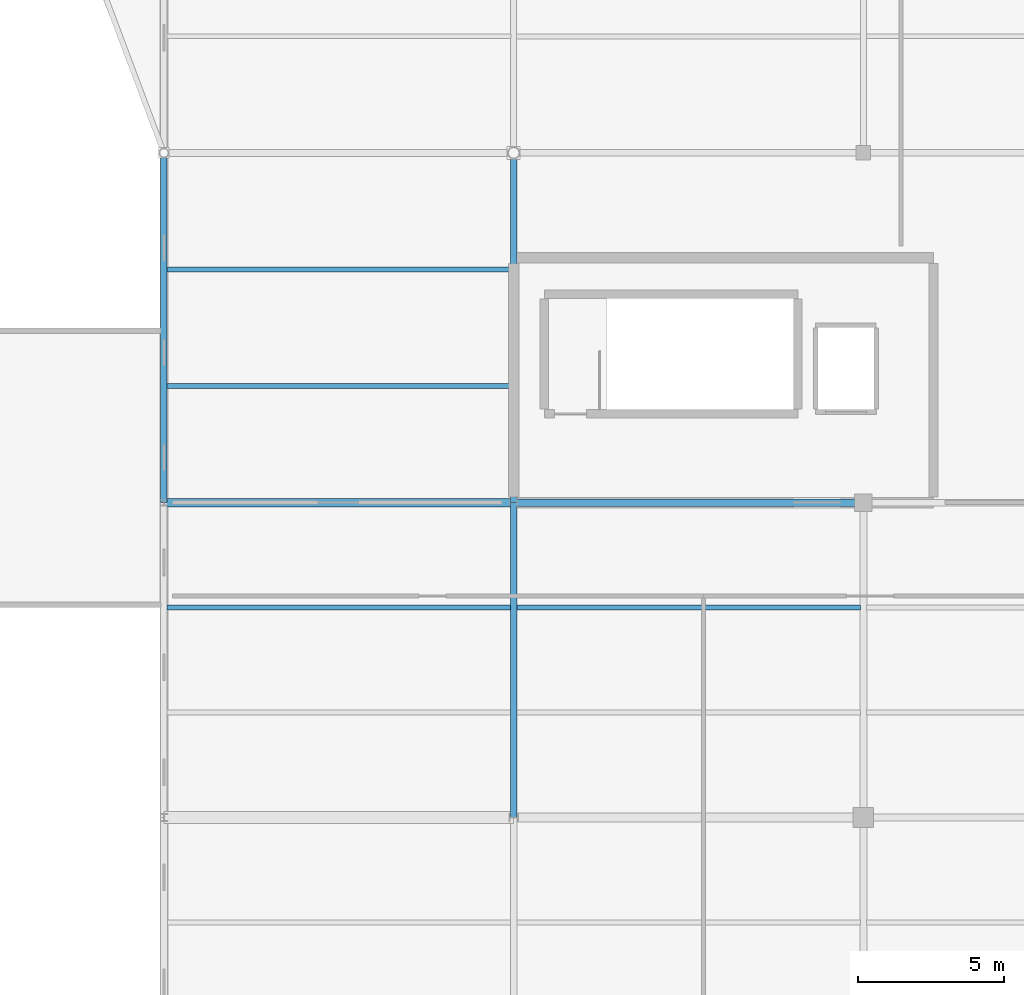
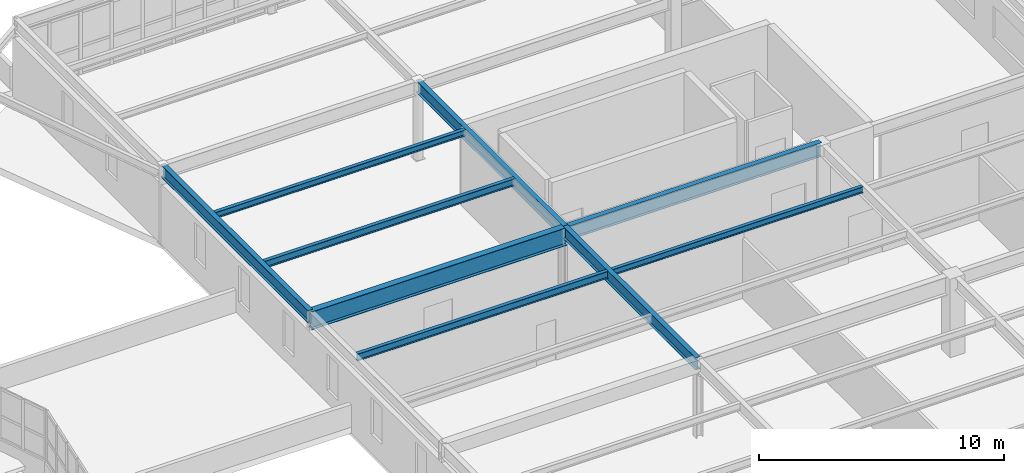
# One storey, part 54 of 128: 9 beams.
"""IFC4 building model written with IfcOpenShell, lengths in metres."""

from ifc_helpers import new_model, si_unit, direction, frame, origin, origin_2d, place, context, subcontext, project, spatial, i_section, extrude, material, material_profile, profile_set, type_object, element, save


model = new_model("IFC4")

# Units and contexts
model_context = context("Model", 3, precision=1e-05, world=origin(), true_north=direction((0.0, 1.0)))
body_context = subcontext(model_context, "Body", "Model", "MODEL_VIEW")
ifc_project = project(units=[si_unit("LENGTHUNIT", "METRE"), si_unit("AREAUNIT", "SQUARE_METRE"), si_unit("VOLUMEUNIT", "CUBIC_METRE"), si_unit("PLANEANGLEUNIT", "RADIAN"), si_unit("MASSUNIT", "GRAM", prefix="KILO")], contexts=[model_context])

# Site, building, storey
site_placement = place(None, origin())
site = spatial("IfcSite", under=ifc_project, at=site_placement, CompositionType="ELEMENT")
building_placement = place(site_placement, origin())
building = spatial("IfcBuilding", under=site, at=building_placement, Name="Tarnwether General Hospital", CompositionType="ELEMENT")
storey_placement = place(building_placement, frame((0.0, 0.0, 14.39990234375)))
storey = spatial("IfcBuildingStorey", under=building, at=storey_placement, Name="L03", CompositionType="ELEMENT", Elevation=14.39990234375)

# Beams
ifc_material_1 = material(Name="Steel Grade 350 (350 MPa)", Category="steel")
ifc_material_profile_1 = material_profile(ifc_material_1, i_section(OverallWidth=0.300048828125, OverallDepth=0.89990234375, WebThickness=0.011962890625, FlangeThickness=0.02001953125, at=origin_2d()), Name="900WB175")
ifc_profile_set_1 = profile_set([ifc_material_profile_1], Name="Steel Grade 350 (350 MPa)")
beam_type_1 = type_object("IfcBeamType", Name="BM-G01", PredefinedType="BEAM", material=ifc_profile_set_1)
beam_1_placement = place(storey_placement, frame((144.0, 21.60009765625, 3.4501953125), z_axis=(1.0, 0.0, 0.0), x_axis=(0.0, 1.0, 0.0)))
element("IfcBeam", 1, at=beam_1_placement, inside=storey, type_object=beam_type_1, Name="Primary Girder BMG-L03-14400_2160-15600_2160-1758", PredefinedType="BEAM", context=body_context, shape_type="SweptSolid", body=[
    extrude(i_section(OverallWidth=0.300048828125, OverallDepth=0.89990234375, WebThickness=0.011962890625, FlangeThickness=0.02001953125, at=origin_2d()), origin(), (0.0, 0.0, 1.0), 12.0),
])
ifc_material_2 = material(Name="Steel Grade 350 (350 MPa)", Category="steel")
ifc_material_profile_2 = material_profile(ifc_material_2, i_section(OverallWidth=0.25, OverallDepth=0.69189453125, WebThickness=0.009033203125, FlangeThickness=0.01611328125, at=origin_2d()), Name="700WB115")
ifc_profile_set_2 = profile_set([ifc_material_profile_2], Name="Steel Grade 350 (350 MPa)")
beam_type_2 = type_object("IfcBeamType", Name="BM-G02", PredefinedType="BEAM", material=ifc_profile_set_2)
beam_2_placement = place(storey_placement, frame((156.0, 21.60009765625, 3.55419921875), z_axis=(1.0, 0.0, 0.0), x_axis=(0.0, 1.0, 0.0)))
element("IfcBeam", 2, at=beam_2_placement, inside=storey, type_object=beam_type_2, Name="Primary Girder BMG-L03-15600_2160-16800_2160-1776", PredefinedType="BEAM", context=body_context, shape_type="SweptSolid", body=[
    extrude(i_section(OverallWidth=0.25, OverallDepth=0.69189453125, WebThickness=0.009033203125, FlangeThickness=0.01611328125, at=origin_2d()), origin(), (0.0, 0.0, 1.0), 12.0),
])
ifc_material_3 = material(Name="Steel Grade 350 (350 MPa)", Category="steel")
ifc_material_profile_3 = material_profile(ifc_material_3, i_section(OverallWidth=0.22802734375, OverallDepth=0.60693359375, WebThickness=0.01123046875, FlangeThickness=0.017333984375, at=origin_2d()), Name="610UB113")
ifc_profile_set_3 = profile_set([ifc_material_profile_3], Name="Steel Grade 350 (350 MPa)")
beam_type_3 = type_object("IfcBeamType", Name="BM-G04", PredefinedType="BEAM", material=ifc_profile_set_3)
beam_3_placement = place(storey_placement, frame((144.0, 21.60009765625, 3.5966796875), z_axis=(0.0, 1.0, 0.0), x_axis=(-1.0, 0.0, 0.0)))
element("IfcBeam", 3, at=beam_3_placement, inside=storey, type_object=beam_type_3, Name="Primary Girder BMG-L03-14400_2160-14400_3360-1759", PredefinedType="BEAM", context=body_context, shape_type="SweptSolid", body=[
    extrude(i_section(OverallWidth=0.22802734375, OverallDepth=0.60693359375, WebThickness=0.01123046875, FlangeThickness=0.017333984375, at=origin_2d()), origin(), (0.0, 0.0, 1.0), 12.0),
])
beam_4_placement = place(storey_placement, frame((156.0, 10.800048828125, 3.5966796875), z_axis=(0.0, 1.0, 0.0), x_axis=(-1.0, 0.0, 0.0)))
element("IfcBeam", 4, at=beam_4_placement, inside=storey, type_object=beam_type_3, Name="Primary Girder BMG-L03-15600_1080-15600_2160-1775", PredefinedType="BEAM", context=body_context, shape_type="SweptSolid", body=[
    extrude(i_section(OverallWidth=0.22802734375, OverallDepth=0.60693359375, WebThickness=0.01123046875, FlangeThickness=0.017333984375, at=origin_2d()), origin(), (0.0, 0.0, 1.0), 10.800048828125),
])
ifc_material_4 = material(Name="Steel Grade 350 (350 MPa)", Category="steel")
ifc_material_profile_4 = material_profile(ifc_material_4, i_section(OverallWidth=0.22802734375, OverallDepth=0.60205078125, WebThickness=0.010498046875, FlangeThickness=0.014892578125, at=origin_2d()), Name="610UB101")
ifc_profile_set_4 = profile_set([ifc_material_profile_4], Name="Steel Grade 350 (350 MPa)")
beam_type_4 = type_object("IfcBeamType", Name="BM-G05", PredefinedType="BEAM", material=ifc_profile_set_4)
beam_5_placement = place(storey_placement, frame((156.0, 21.60009765625, 3.59912109375), z_axis=(0.0, 1.0, 0.0), x_axis=(-1.0, 0.0, 0.0)))
element("IfcBeam", 5, at=beam_5_placement, inside=storey, type_object=beam_type_4, Name="Primary Girder BMG-L03-15600_2160-15600_3360-1777", PredefinedType="BEAM", context=body_context, shape_type="SweptSolid", body=[
    extrude(i_section(OverallWidth=0.22802734375, OverallDepth=0.60205078125, WebThickness=0.010498046875, FlangeThickness=0.014892578125, at=origin_2d()), origin(), (0.0, 0.0, 1.0), 12.0),
])
ifc_material_5 = material(Name="Steel Grade 350 (350 MPa)", Category="steel")
ifc_material_profile_5 = material_profile(ifc_material_5, i_section(OverallWidth=0.1708984375, OverallDepth=0.35595703125, WebThickness=0.00732421875, FlangeThickness=0.011474609375, at=origin_2d()), Name="360UB50.7")
ifc_profile_set_5 = profile_set([ifc_material_profile_5], Name="Steel Grade 350 (350 MPa)")
beam_type_5 = type_object("IfcBeamType", Name="BM-J04", PredefinedType="JOIST", material=ifc_profile_set_5)
for number, where, z_axis, x_axis, name in (
    (6, (144.10791015625, 18.0, 3.72216796875), (1.0, 0.0, 0.0), (0.0, 1.0, 0.0), "Composite Floor Joist BMG-L03-14411_1800-15589_1800-1817"),
    (7, (144.10791015625, 25.60009765625, 3.72216796875), (1.0, 0.0, 0.0), (0.0, 1.0, 0.0), "Composite Floor Joist BMG-L03-14411_2560-15589_2560-1818"),
):
    element("IfcBeam", number, at=place(storey_placement, frame(where, z_axis=z_axis, x_axis=x_axis)), inside=storey, type_object=beam_type_5, Name=name, PredefinedType="JOIST", context=body_context, shape_type="SweptSolid", body=[
        extrude(i_section(OverallWidth=0.1708984375, OverallDepth=0.35595703125, WebThickness=0.00732421875, FlangeThickness=0.011474609375, at=origin_2d()), origin(), (0.0, 0.0, 1.0), 11.7841796875),
    ])
ifc_material_6 = material(Name="Steel Grade 350 (350 MPa)", Category="steel")
ifc_material_profile_6 = material_profile(ifc_material_6, i_section(OverallWidth=0.166015625, OverallDepth=0.306884765625, WebThickness=0.006591796875, FlangeThickness=0.01171875, at=origin_2d()), Name="310UB46.2")
ifc_profile_set_6 = profile_set([ifc_material_profile_6], Name="Steel Grade 350 (350 MPa)")
beam_type_6 = type_object("IfcBeamType", Name="BM-J05", PredefinedType="JOIST", material=ifc_profile_set_6)
for number, where, z_axis, x_axis, name in (
    (8, (144.10791015625, 29.60009765625, 3.74658203125), (1.0, 0.0, 0.0), (0.0, 1.0, 0.0), "Composite Floor Joist BMG-L03-14411_2960-15589_2960-1819"),
    (9, (156.10791015625, 18.0, 3.74658203125), (1.0, 0.0, 0.0), (0.0, 1.0, 0.0), "Composite Floor Joist BMG-L03-15611_1800-16789_1800-1833"),
):
    element("IfcBeam", number, at=place(storey_placement, frame(where, z_axis=z_axis, x_axis=x_axis)), inside=storey, type_object=beam_type_6, Name=name, PredefinedType="JOIST", context=body_context, shape_type="SweptSolid", body=[
        extrude(i_section(OverallWidth=0.166015625, OverallDepth=0.306884765625, WebThickness=0.006591796875, FlangeThickness=0.01171875, at=origin_2d()), origin(), (0.0, 0.0, 1.0), 11.7841796875),
    ])

save(model, "model.ifc")
